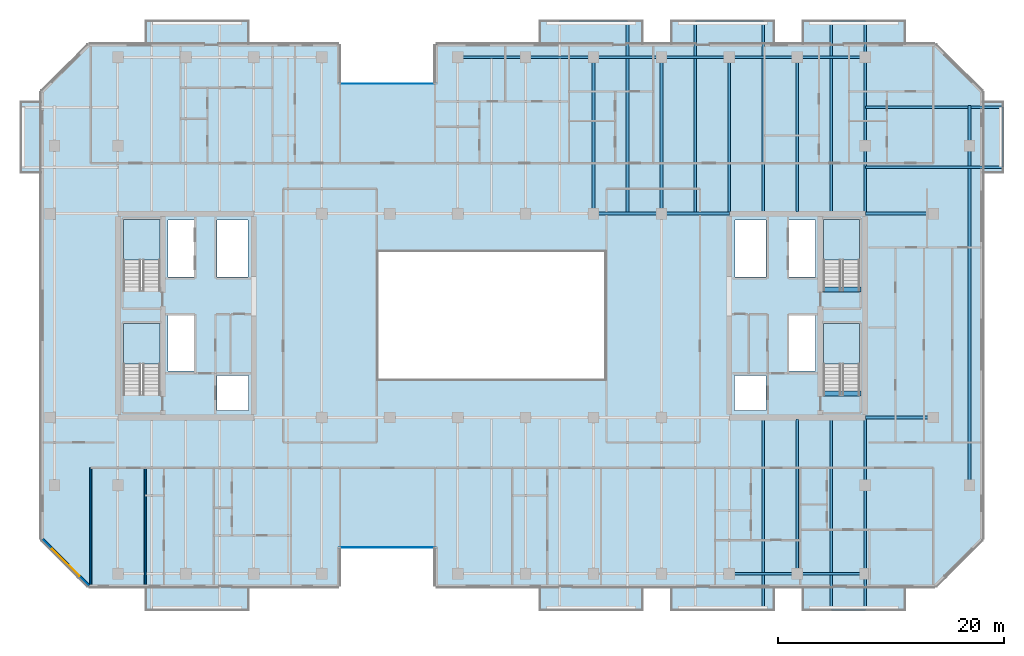
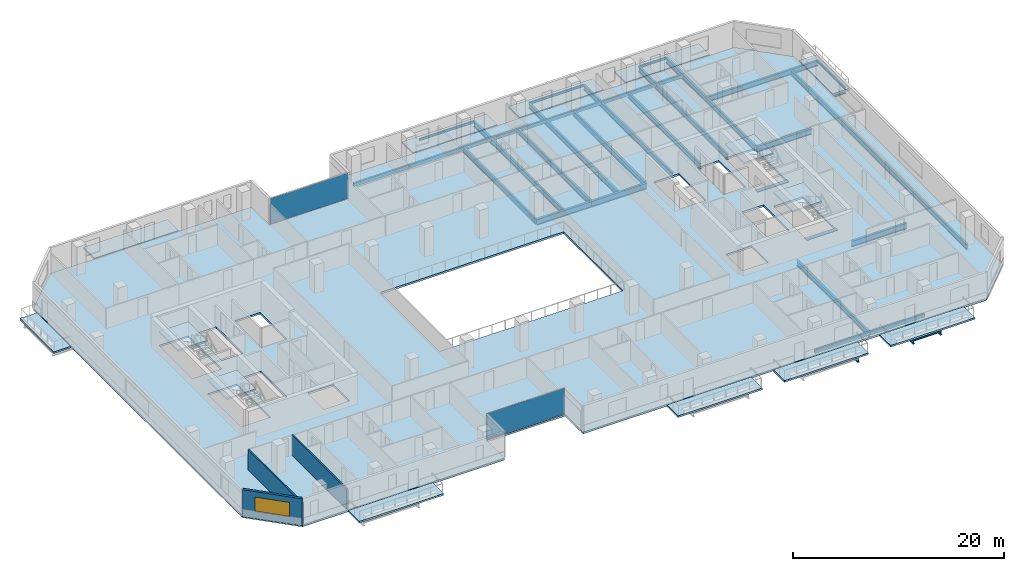
# One storey, part 9 of 23: 36 beams, 15 slabs, 3 walls, 2 plates, 1 window, 1 opening, 6 elements without a shape of their own.
"""IFC4 building model written with IfcOpenShell, lengths in metres."""

from ifc_helpers import new_model, si_unit, direction, frame, frame_2d, origin, origin_2d, place, context, subcontext, project, spatial, polyline, rectangle, hollow_rectangle, i_section, outline, extrude, material, layer, layer_set, material_profile, profile_set, type_object, element, fill, aggregate, save


model = new_model("IFC4")

# Units and contexts
model_context = context("Model", 3, precision=1e-05, world=origin(), true_north=direction((0.0, 1.0)))
body_context = subcontext(model_context, "Body", "Model", "MODEL_VIEW")
ifc_project = project(units=[si_unit("LENGTHUNIT", "METRE"), si_unit("AREAUNIT", "SQUARE_METRE"), si_unit("VOLUMEUNIT", "CUBIC_METRE"), si_unit("PLANEANGLEUNIT", "RADIAN"), si_unit("MASSUNIT", "GRAM", prefix="KILO")], contexts=[model_context])

# Site, building, storey
site_placement = place(None, origin())
site = spatial("IfcSite", under=ifc_project, at=site_placement, CompositionType="ELEMENT")
building_placement = place(site_placement, origin())
building = spatial("IfcBuilding", under=site, at=building_placement, Name="Tanjung Sevakor Pilgrim Tower", CompositionType="ELEMENT")
storey_placement = place(building_placement, frame((0.0, 0.0, 82.169921875)))
storey = spatial("IfcBuildingStorey", under=building, at=storey_placement, Name="L22", CompositionType="ELEMENT", Elevation=82.169921875)

# Beams
ifc_material_1 = material(Name="Steel S355J2", Category="steel")
ifc_material_profile_1 = material_profile(ifc_material_1, i_section(OverallWidth=0.25439453125, OverallDepth=0.6875, WebThickness=0.01318359375, FlangeThickness=0.02099609375, FilletRadius=0.01513671875, at=origin_2d()))
ifc_profile_set_1 = profile_set([ifc_material_profile_1], Name="Steel S355J2")
beam_type_1 = type_object("IfcBeamType", Name="BM-B-G2-UB_686x254x152", PredefinedType="BEAM", material=ifc_profile_set_1)
for number, where, z_axis, x_axis, name in (
    (1, (90.0, 24.60009765625, -0.563720703125), (1.0, 0.0, 0.0), (0.0, 1.0, 0.0), "L22 Primary Floor Girder MAIN Y246-09"),
    (2, (66.0, 42.60009765625, -0.563720703125), (1.0, 0.0, 0.0), (0.0, 1.0, 0.0), "L22 Primary Floor Girder MAIN Y426-07"),
    (3, (72.0, 42.60009765625, -0.563720703125), (1.0, 0.0, 0.0), (0.0, 1.0, 0.0), "L22 Primary Floor Girder MAIN Y426-08"),
    (4, (90.0, 42.60009765625, -0.563720703125), (1.0, 0.0, 0.0), (0.0, 1.0, 0.0), "L22 Primary Floor Girder MAIN Y426-09"),
):
    element("IfcBeam", number, at=place(storey_placement, frame(where, z_axis=z_axis, x_axis=x_axis)), inside=storey, type_object=beam_type_1, Name=name, PredefinedType="BEAM", context=body_context, shape_type="SweptSolid", body=[
        extrude(i_section(OverallWidth=0.25439453125, OverallDepth=0.6875, WebThickness=0.01318359375, FlangeThickness=0.02099609375, FilletRadius=0.01513671875, at=origin_2d()), origin(), (0.0, 0.0, 1.0), 6.0),
    ])
ifc_material_2 = material(Name="Steel S355J2", Category="steel")
ifc_material_profile_2 = material_profile(ifc_material_2, i_section(OverallWidth=0.230224609375, OverallDepth=0.6171875, WebThickness=0.01318359375, FlangeThickness=0.022216796875, FilletRadius=0.0126953125, at=origin_2d()))
ifc_profile_set_2 = profile_set([ifc_material_profile_2], Name="Steel S355J2")
beam_type_2 = type_object("IfcBeamType", Name="BM-B-G3-UB_610x229x140", PredefinedType="BEAM", material=ifc_profile_set_2)
for number, where, z_axis, x_axis, name in (
    (5, (66.0, 42.60009765625, -0.528564453125), (0.0, 1.0, 0.0), (-1.0, 0.0, 0.0), "L22 MAIN Girder 019"),
    (6, (72.0, 42.60009765625, -0.528564453125), (0.0, 1.0, 0.0), (-1.0, 0.0, 0.0), "L22 MAIN Girder 022"),
):
    element("IfcBeam", number, at=place(storey_placement, frame(where, z_axis=z_axis, x_axis=x_axis)), inside=storey, type_object=beam_type_2, Name=name, PredefinedType="BEAM", context=body_context, shape_type="SweptSolid", body=[
        extrude(i_section(OverallWidth=0.230224609375, OverallDepth=0.6171875, WebThickness=0.01318359375, FlangeThickness=0.022216796875, FilletRadius=0.0126953125, at=origin_2d()), origin(), (0.0, 0.0, 1.0), 13.7998046875),
    ])
for number, where, z_axis, x_axis, name in (
    (7, (78.0, 42.727294921875, -0.528564453125), (0.0, 1.0, 0.0), (-1.0, 0.0, 0.0), "L22 MAIN Girder 024"),
    (8, (84.0, 10.800048828125, -0.528564453125), (0.0, 1.0, 0.0), (-1.0, 0.0, 0.0), "L22 MAIN Girder 025"),
    (9, (84.0, 42.727294921875, -0.528564453125), (0.0, 1.0, 0.0), (-1.0, 0.0, 0.0), "L22 MAIN Girder 026"),
):
    element("IfcBeam", number, at=place(storey_placement, frame(where, z_axis=z_axis, x_axis=x_axis)), inside=storey, type_object=beam_type_2, Name=name, PredefinedType="BEAM", context=body_context, shape_type="SweptSolid", body=[
        extrude(i_section(OverallWidth=0.230224609375, OverallDepth=0.6171875, WebThickness=0.01318359375, FlangeThickness=0.022216796875, FilletRadius=0.0126953125, at=origin_2d()), origin(), (0.0, 0.0, 1.0), 13.672607421875),
    ])
beam_1_placement = place(storey_placement, frame((90.0, 24.47265625, -0.528564453125), z_axis=(0.0, -1.0, 0.0), x_axis=(1.0, 0.0, 0.0)))
element("IfcBeam", 10, at=beam_1_placement, inside=storey, type_object=beam_type_2, Name="L22 Balcony Cantilever Beam MAIN-S4-2", PredefinedType="BEAM", context=body_context, shape_type="SweptSolid", body=[
    extrude(i_section(OverallWidth=0.230224609375, OverallDepth=0.6171875, WebThickness=0.01318359375, FlangeThickness=0.022216796875, FilletRadius=0.0126953125, at=origin_2d()), origin(), (0.0, 0.0, 1.0), 16.8525390625),
])
beam_2_placement = place(storey_placement, frame((90.0, 42.727294921875, -0.528564453125), z_axis=(0.0, 1.0, 0.0), x_axis=(-1.0, 0.0, 0.0)))
element("IfcBeam", 11, at=beam_2_placement, inside=storey, type_object=beam_type_2, Name="L22 Balcony Cantilever Beam MAIN-N4-2", PredefinedType="BEAM", context=body_context, shape_type="SweptSolid", body=[
    extrude(i_section(OverallWidth=0.230224609375, OverallDepth=0.6171875, WebThickness=0.01318359375, FlangeThickness=0.022216796875, FilletRadius=0.0126953125, at=origin_2d()), origin(), (0.0, 0.0, 1.0), 16.852783203125),
])
ifc_material_3 = material(Name="Steel S355J2", Category="steel")
ifc_material_profile_3 = material_profile(ifc_material_3, i_section(OverallWidth=0.22900390625, OverallDepth=0.6123046875, WebThickness=0.011962890625, FlangeThickness=0.01953125, FilletRadius=0.0126953125, at=origin_2d()))
ifc_profile_set_3 = profile_set([ifc_material_profile_3], Name="Steel S355J2")
beam_type_3 = type_object("IfcBeamType", Name="BM-B-G4-UB_610x229x125", PredefinedType="BEAM", material=ifc_profile_set_3)
beam_3_placement = place(storey_placement, frame((99.199951171875, 18.60009765625, -0.526123046875), z_axis=(0.0, 1.0, 0.0), x_axis=(-1.0, 0.0, 0.0)))
element("IfcBeam", 12, at=beam_3_placement, inside=storey, type_object=beam_type_3, Name="L22 Short-End Edge Girder E", PredefinedType="BEAM", context=body_context, shape_type="SweptSolid", body=[
    extrude(i_section(OverallWidth=0.22900390625, OverallDepth=0.6123046875, WebThickness=0.011962890625, FlangeThickness=0.01953125, FilletRadius=0.0126953125, at=origin_2d()), origin(), (0.0, 0.0, 1.0), 30.0),
])
beam_4_placement = place(storey_placement, frame((99.199951171875, 48.60009765625, -0.526123046875), z_axis=(0.0, 1.0, 0.0), x_axis=(-1.0, 0.0, 0.0)))
element("IfcBeam", 13, at=beam_4_placement, inside=storey, type_object=beam_type_3, Name="L22 Short-End Edge Extension N-E", PredefinedType="BEAM", context=body_context, shape_type="SweptSolid", body=[
    extrude(i_section(OverallWidth=0.22900390625, OverallDepth=0.6123046875, WebThickness=0.011962890625, FlangeThickness=0.01953125, FilletRadius=0.0126953125, at=origin_2d()), origin(), (0.0, 0.0, 1.0), 3.5498046875),
])
for number, where, z_axis, x_axis, name in (
    (14, (90.0, 46.699951171875, -0.526123046875), (1.0, 0.0, 0.0), (0.0, 1.0, 0.0), "L22 Balcony Overhanging Beam MAIN-E1-1"),
    (15, (90.0, 52.0, -0.526123046875), (1.0, 0.0, 0.0), (0.0, 1.0, 0.0), "L22 Balcony Overhanging Beam MAIN-E1-2"),
):
    element("IfcBeam", number, at=place(storey_placement, frame(where, z_axis=z_axis, x_axis=x_axis)), inside=storey, type_object=beam_type_3, Name=name, PredefinedType="BEAM", context=body_context, shape_type="SweptSolid", body=[
        extrude(i_section(OverallWidth=0.22900390625, OverallDepth=0.6123046875, WebThickness=0.011962890625, FlangeThickness=0.01953125, FilletRadius=0.0126953125, at=origin_2d()), origin(), (0.0, 0.0, 1.0), 12.1298828125),
    ])
for number, where, z_axis, x_axis, name in (
    (16, (69.0, 42.727294921875, -0.526123046875), (0.0, 1.0, 0.0), (-1.0, 0.0, 0.0), "L22 Balcony Cantilever Beam MAIN-N2-2"),
    (17, (75.0, 42.727294921875, -0.526123046875), (0.0, 1.0, 0.0), (-1.0, 0.0, 0.0), "L22 Balcony Cantilever Beam MAIN-N3-1"),
):
    element("IfcBeam", number, at=place(storey_placement, frame(where, z_axis=z_axis, x_axis=x_axis)), inside=storey, type_object=beam_type_3, Name=name, PredefinedType="BEAM", context=body_context, shape_type="SweptSolid", body=[
        extrude(i_section(OverallWidth=0.22900390625, OverallDepth=0.6123046875, WebThickness=0.011962890625, FlangeThickness=0.01953125, FilletRadius=0.0126953125, at=origin_2d()), origin(), (0.0, 0.0, 1.0), 16.852783203125),
    ])
beam_5_placement = place(storey_placement, frame((81.0, 24.47265625, -0.526123046875), z_axis=(0.0, -1.0, 0.0), x_axis=(1.0, 0.0, 0.0)))
element("IfcBeam", 18, at=beam_5_placement, inside=storey, type_object=beam_type_3, Name="L22 Balcony Cantilever Beam MAIN-S3-2", PredefinedType="BEAM", context=body_context, shape_type="SweptSolid", body=[
    extrude(i_section(OverallWidth=0.22900390625, OverallDepth=0.6123046875, WebThickness=0.011962890625, FlangeThickness=0.01953125, FilletRadius=0.0126953125, at=origin_2d()), origin(), (0.0, 0.0, 1.0), 16.8525390625),
])
beam_6_placement = place(storey_placement, frame((81.0, 42.727294921875, -0.526123046875), z_axis=(0.0, 1.0, 0.0), x_axis=(-1.0, 0.0, 0.0)))
element("IfcBeam", 19, at=beam_6_placement, inside=storey, type_object=beam_type_3, Name="L22 Balcony Cantilever Beam MAIN-N3-2", PredefinedType="BEAM", context=body_context, shape_type="SweptSolid", body=[
    extrude(i_section(OverallWidth=0.22900390625, OverallDepth=0.6123046875, WebThickness=0.011962890625, FlangeThickness=0.01953125, FilletRadius=0.0126953125, at=origin_2d()), origin(), (0.0, 0.0, 1.0), 16.852783203125),
])
beam_7_placement = place(storey_placement, frame((87.0, 24.47265625, -0.526123046875), z_axis=(0.0, -1.0, 0.0), x_axis=(1.0, 0.0, 0.0)))
element("IfcBeam", 20, at=beam_7_placement, inside=storey, type_object=beam_type_3, Name="L22 Balcony Cantilever Beam MAIN-S4-1", PredefinedType="BEAM", context=body_context, shape_type="SweptSolid", body=[
    extrude(i_section(OverallWidth=0.22900390625, OverallDepth=0.6123046875, WebThickness=0.011962890625, FlangeThickness=0.01953125, FilletRadius=0.0126953125, at=origin_2d()), origin(), (0.0, 0.0, 1.0), 16.8525390625),
])
beam_8_placement = place(storey_placement, frame((87.0, 42.727294921875, -0.526123046875), z_axis=(0.0, 1.0, 0.0), x_axis=(-1.0, 0.0, 0.0)))
element("IfcBeam", 21, at=beam_8_placement, inside=storey, type_object=beam_type_3, Name="L22 Balcony Cantilever Beam MAIN-N4-1", PredefinedType="BEAM", context=body_context, shape_type="SweptSolid", body=[
    extrude(i_section(OverallWidth=0.22900390625, OverallDepth=0.6123046875, WebThickness=0.011962890625, FlangeThickness=0.01953125, FilletRadius=0.0126953125, at=origin_2d()), origin(), (0.0, 0.0, 1.0), 16.852783203125),
])
ifc_material_4 = material(Name="Steel S355J2", Category="steel")
ifc_material_profile_4 = material_profile(ifc_material_4, i_section(OverallWidth=0.146484375, OverallDepth=0.256103515625, WebThickness=0.00634765625, FlangeThickness=0.010986328125, FilletRadius=0.007568359375, at=origin_2d()))
ifc_profile_set_4 = profile_set([ifc_material_profile_4], Name="Steel S355J2")
beam_type_4 = type_object("IfcBeamType", Name="BM-B-J6-UB_254x146x37", PredefinedType="JOIST", material=ifc_profile_set_4)
for number, where, z_axis, x_axis, name in (
    (22, (63.0, 59.580078125, -0.327880859375), (1.0, 0.0, 0.0), (0.0, 1.0, 0.0), "L22 Balcony Rim Tie MAIN-N2"),
    (23, (75.0, 59.580078125, -0.327880859375), (1.0, 0.0, 0.0), (0.0, 1.0, 0.0), "L22 Balcony Rim Tie MAIN-N3"),
):
    element("IfcBeam", number, at=place(storey_placement, frame(where, z_axis=z_axis, x_axis=x_axis)), inside=storey, type_object=beam_type_4, Name=name, PredefinedType="JOIST", context=body_context, shape_type="SweptSolid", body=[
        extrude(i_section(OverallWidth=0.146484375, OverallDepth=0.256103515625, WebThickness=0.00634765625, FlangeThickness=0.010986328125, FilletRadius=0.007568359375, at=origin_2d()), origin(), (0.0, 0.0, 1.0), 6.0),
    ])
for number, where, z_axis, x_axis, name in (
    (24, (87.0, 7.6201171875, -0.327880859375), (1.0, 0.0, 0.0), (0.0, 1.0, 0.0), "L22 Balcony Rim Tie MAIN-S4"),
    (25, (87.0, 59.580078125, -0.327880859375), (1.0, 0.0, 0.0), (0.0, 1.0, 0.0), "L22 Balcony Rim Tie MAIN-N4"),
):
    element("IfcBeam", number, at=place(storey_placement, frame(where, z_axis=z_axis, x_axis=x_axis)), inside=storey, type_object=beam_type_4, Name=name, PredefinedType="JOIST", context=body_context, shape_type="SweptSolid", body=[
        extrude(i_section(OverallWidth=0.146484375, OverallDepth=0.256103515625, WebThickness=0.00634765625, FlangeThickness=0.010986328125, FilletRadius=0.007568359375, at=origin_2d()), origin(), (0.0, 0.0, 1.0), 3.0),
    ])
beam_9_placement = place(storey_placement, frame((102.1298828125, 46.699951171875, -0.327880859375), z_axis=(0.0, 1.0, 0.0), x_axis=(-1.0, 0.0, 0.0)))
element("IfcBeam", 26, at=beam_9_placement, inside=storey, type_object=beam_type_4, Name="L22 Balcony Rim Tie MAIN-E1", PredefinedType="JOIST", context=body_context, shape_type="SweptSolid", body=[
    extrude(i_section(OverallWidth=0.146484375, OverallDepth=0.256103515625, WebThickness=0.00634765625, FlangeThickness=0.010986328125, FilletRadius=0.007568359375, at=origin_2d()), origin(), (0.0, 0.0, 1.0), 5.300048828125),
])
ifc_material_5 = material(Name="Concrete C60/75", Category="concrete")
ifc_material_profile_5 = material_profile(ifc_material_5, rectangle(XDim=0.449951171875, YDim=0.699951171875, at=origin_2d()))
ifc_profile_set_5 = profile_set([ifc_material_profile_5], Name="Concrete C60/75")
beam_type_5 = type_object("IfcBeamType", Name="BM-B-LN3-RC-BM_450x700", PredefinedType="LINTEL", material=ifc_profile_set_5)
for number, where, z_axis, x_axis, name in (
    (27, (86.199951171875, 26.699951171875, -0.349853515625), (1.0, 0.0, 0.0), (0.0, 1.0, 0.0), "L22 TS-E1 Stair Threshold Beam"),
    (28, (86.199951171875, 35.89990234375, -0.349853515625), (1.0, 0.0, 0.0), (0.0, 1.0, 0.0), "L22 TS-E2 Stair Threshold Beam"),
):
    element("IfcBeam", number, at=place(storey_placement, frame(where, z_axis=z_axis, x_axis=x_axis)), inside=storey, type_object=beam_type_5, Name=name, PredefinedType="LINTEL", context=body_context, shape_type="SweptSolid", body=[
        extrude(rectangle(XDim=0.449951171875, YDim=0.699951171875, at=origin_2d()), origin(), (0.0, 0.0, 1.0), 3.400146484375),
    ])
ifc_material_6 = material(Name="Steel S355J2", Category="steel")
ifc_material_profile_6 = material_profile(ifc_material_6, hollow_rectangle(XDim=0.199951171875, YDim=0.39990234375, WallThickness=0.01611328125, at=origin_2d()))
ifc_profile_set_6 = profile_set([ifc_material_profile_6], Name="Steel S355J2")
beam_type_6 = type_object("IfcBeamType", Name="BM-B-SP2-RHS_400x200x16", PredefinedType="SPANDREL", material=ifc_profile_set_6)
for number, where, z_axis, x_axis, name in (
    (29, (54.0, 56.39990234375, -0.419921875), (1.0, 0.0, 0.0), (0.0, 1.0, 0.0), "L22 Spandrel MAIN N-08"),
    (30, (60.0, 56.39990234375, -0.419921875), (1.0, 0.0, 0.0), (0.0, 1.0, 0.0), "L22 Spandrel MAIN N-10"),
    (31, (66.0, 56.39990234375, -0.419921875), (1.0, 0.0, 0.0), (0.0, 1.0, 0.0), "L22 Spandrel MAIN N-12"),
    (32, (72.0, 56.39990234375, -0.419921875), (1.0, 0.0, 0.0), (0.0, 1.0, 0.0), "L22 Spandrel MAIN N-14"),
    (33, (78.0, 10.800048828125, -0.419921875), (1.0, 0.0, 0.0), (0.0, 1.0, 0.0), "L22 Spandrel MAIN S-15"),
    (34, (78.0, 56.39990234375, -0.419921875), (1.0, 0.0, 0.0), (0.0, 1.0, 0.0), "L22 Spandrel MAIN N-16"),
    (35, (84.0, 10.800048828125, -0.419921875), (1.0, 0.0, 0.0), (0.0, 1.0, 0.0), "L22 Spandrel MAIN S-17"),
    (36, (84.0, 56.39990234375, -0.419921875), (1.0, 0.0, 0.0), (0.0, 1.0, 0.0), "L22 Spandrel MAIN N-18"),
):
    element("IfcBeam", number, at=place(storey_placement, frame(where, z_axis=z_axis, x_axis=x_axis)), inside=storey, type_object=beam_type_6, Name=name, PredefinedType="SPANDREL", context=body_context, shape_type="SweptSolid", body=[
        extrude(hollow_rectangle(XDim=0.199951171875, YDim=0.39990234375, WallThickness=0.01611328125, at=origin_2d()), origin(), (0.0, 0.0, 1.0), 6.0),
    ])

# Slabs
ifc_material_7 = material(Name="Concrete C40/50", Category="concrete")
ifc_layer_1 = layer(ifc_material_7, 0.199951171875)
ifc_layer_set_1 = layer_set([ifc_layer_1], Name="SL-BAL-200")
slab_type_1 = type_object("IfcSlabType", Name="SL-BAL-200", PredefinedType="FLOOR", material=ifc_layer_set_1)
slab_1_placement = place(storey_placement, frame((0.0, 0.0, -0.199951171875)))
element("IfcSlab", 37, at=slab_1_placement, inside=storey, type_object=slab_type_1, Name="L22 Planted Loggia Balcony MAIN-S1", PredefinedType="FLOOR", context=body_context, shape_type="SweptSolid", body=[
    extrude(outline(polyline([(26.39990234375, 7.5), (35.60009765625, 7.5), (35.60009765625, 9.60009765625), (26.39990234375, 9.60009765625), (26.39990234375, 7.5)])), origin(), (0.0, 0.0, 1.0), 0.199951171875),
])
slab_2_placement = place(storey_placement, frame((0.0, 0.0, -0.199951171875)))
element("IfcSlab", 38, at=slab_2_placement, inside=storey, type_object=slab_type_1, Name="L22 Planted Loggia Balcony MAIN-N1", PredefinedType="FLOOR", context=body_context, shape_type="SweptSolid", body=[
    extrude(outline(polyline([(26.39990234375, 57.60009765625), (35.60009765625, 57.60009765625), (35.60009765625, 59.699951171875), (26.39990234375, 59.699951171875), (26.39990234375, 57.60009765625)])), origin(), (0.0, 0.0, 1.0), 0.199951171875),
])
slab_3_placement = place(storey_placement, frame((0.0, 0.0, -0.199951171875)))
element("IfcSlab", 39, at=slab_3_placement, inside=storey, type_object=slab_type_1, Name="L22 Planted Loggia Balcony MAIN-S2", PredefinedType="FLOOR", context=body_context, shape_type="SweptSolid", body=[
    extrude(outline(polyline([(61.199951171875, 7.5), (70.39990234375, 7.5), (70.39990234375, 9.60009765625), (61.199951171875, 9.60009765625), (61.199951171875, 7.5)])), origin(), (0.0, 0.0, 1.0), 0.199951171875),
])
slab_4_placement = place(storey_placement, frame((0.0, 0.0, -0.199951171875)))
element("IfcSlab", 40, at=slab_4_placement, inside=storey, type_object=slab_type_1, Name="L22 Planted Loggia Balcony MAIN-N2", PredefinedType="FLOOR", context=body_context, shape_type="SweptSolid", body=[
    extrude(outline(polyline([(61.199951171875, 57.60009765625), (70.39990234375, 57.60009765625), (70.39990234375, 59.699951171875), (61.199951171875, 59.699951171875), (61.199951171875, 57.60009765625)])), origin(), (0.0, 0.0, 1.0), 0.199951171875),
])
slab_5_placement = place(storey_placement, frame((0.0, 0.0, -0.199951171875)))
element("IfcSlab", 41, at=slab_5_placement, inside=storey, type_object=slab_type_1, Name="L22 Planted Loggia Balcony MAIN-S3", PredefinedType="FLOOR", context=body_context, shape_type="SweptSolid", body=[
    extrude(outline(polyline([(72.800048828125, 7.5), (82.0, 7.5), (82.0, 9.60009765625), (72.800048828125, 9.60009765625), (72.800048828125, 7.5)])), origin(), (0.0, 0.0, 1.0), 0.199951171875),
])
slab_6_placement = place(storey_placement, frame((0.0, 0.0, -0.199951171875)))
element("IfcSlab", 42, at=slab_6_placement, inside=storey, type_object=slab_type_1, Name="L22 Planted Loggia Balcony MAIN-N3", PredefinedType="FLOOR", context=body_context, shape_type="SweptSolid", body=[
    extrude(outline(polyline([(72.800048828125, 57.60009765625), (82.0, 57.60009765625), (82.0, 59.699951171875), (72.800048828125, 59.699951171875), (72.800048828125, 57.60009765625)])), origin(), (0.0, 0.0, 1.0), 0.199951171875),
])
slab_7_placement = place(storey_placement, frame((0.0, 0.0, -0.199951171875)))
element("IfcSlab", 43, at=slab_7_placement, inside=storey, type_object=slab_type_1, Name="L22 Planted Loggia Balcony MAIN-S4", PredefinedType="FLOOR", context=body_context, shape_type="SweptSolid", body=[
    extrude(outline(polyline([(84.39990234375, 7.5), (93.60009765625, 7.5), (93.60009765625, 9.60009765625), (84.39990234375, 9.60009765625), (84.39990234375, 7.5)])), origin(), (0.0, 0.0, 1.0), 0.199951171875),
])
slab_8_placement = place(storey_placement, frame((0.0, 0.0, -0.199951171875)))
element("IfcSlab", 44, at=slab_8_placement, inside=storey, type_object=slab_type_1, Name="L22 Planted Loggia Balcony MAIN-N4", PredefinedType="FLOOR", context=body_context, shape_type="SweptSolid", body=[
    extrude(outline(polyline([(84.39990234375, 57.60009765625), (93.60009765625, 57.60009765625), (93.60009765625, 59.699951171875), (84.39990234375, 59.699951171875), (84.39990234375, 57.60009765625)])), origin(), (0.0, 0.0, 1.0), 0.199951171875),
])
slab_9_placement = place(storey_placement, frame((0.0, 0.0, -0.199951171875)))
element("IfcSlab", 45, at=slab_9_placement, inside=storey, type_object=slab_type_1, Name="L22 Planted Loggia Balcony MAIN-W1", PredefinedType="FLOOR", context=body_context, shape_type="SweptSolid", body=[
    extrude(outline(polyline([(15.35009765625, 46.14990234375), (17.199951171875, 46.14990234375), (17.199951171875, 52.550048828125), (15.35009765625, 52.550048828125), (15.35009765625, 46.14990234375)])), origin(), (0.0, 0.0, 1.0), 0.199951171875),
])
slab_10_placement = place(storey_placement, frame((0.0, 0.0, -0.199951171875)))
element("IfcSlab", 46, at=slab_10_placement, inside=storey, type_object=slab_type_1, Name="L22 Planted Loggia Balcony MAIN-E1", PredefinedType="FLOOR", context=body_context, shape_type="SweptSolid", body=[
    extrude(outline(polyline([(100.39990234375, 46.14990234375), (102.25, 46.14990234375), (102.25, 52.550048828125), (100.39990234375, 52.550048828125), (100.39990234375, 46.14990234375)])), origin(), (0.0, 0.0, 1.0), 0.199951171875),
])

# Stair, slab
ifc_material_8 = material(Name="Concrete C40/50", Category="concrete")
stair_type = type_object("IfcStairType", Name="STAIR-ST-CR150", PredefinedType="HALF_TURN_STAIR", material=ifc_material_8)
stair_1_placement = place(storey_placement, origin())
stair_1 = element("IfcStair", 47, at=stair_1_placement, inside=storey, type_object=stair_type, Name="L22 West Core Exit Stair 1", PredefinedType="HALF_TURN_STAIR")
ifc_material_9 = material(Name="Concrete C40/50", Category="concrete")
ifc_layer_2 = layer(ifc_material_9, 0.199951171875)
ifc_layer_set_2 = layer_set([ifc_layer_2], Name="SL-LAND-200")
slab_type_2 = type_object("IfcSlabType", Name="SL-LAND-200", PredefinedType="LANDING", material=ifc_layer_set_2)
slab_11_placement = place(storey_placement, frame((0.0, 0.0, 1.4501953125)))
slab_11 = element("IfcSlab", 48, at=slab_11_placement, type_object=slab_type_2, Name="TS-W1 landing 1", PredefinedType="LANDING", context=body_context, shape_type="SweptSolid", body=[
    extrude(outline(polyline([(27.699951171875, 29.300048828125), (27.699951171875, 32.89990234375), (24.5, 32.89990234375), (24.5, 29.300048828125), (27.699951171875, 29.300048828125)])), origin(), (0.0, 0.0, 1.0), 0.199951171875),
])
aggregate(stair_1, [slab_11])

stair_2_placement = place(storey_placement, origin())
stair_2 = element("IfcStair", 49, at=stair_2_placement, inside=storey, type_object=stair_type, Name="L22 West Core Exit Stair 2", PredefinedType="HALF_TURN_STAIR")
slab_12_placement = place(storey_placement, frame((0.0, 0.0, 1.4501953125)))
slab_12 = element("IfcSlab", 50, at=slab_12_placement, type_object=slab_type_2, Name="TS-W2 landing 1", PredefinedType="LANDING", context=body_context, shape_type="SweptSolid", body=[
    extrude(outline(polyline([(27.699951171875, 38.5), (27.699951171875, 42.10009765625), (24.5, 42.10009765625), (24.5, 38.5), (27.699951171875, 38.5)])), origin(), (0.0, 0.0, 1.0), 0.199951171875),
])
aggregate(stair_2, [slab_12])

stair_3_placement = place(storey_placement, origin())
stair_3 = element("IfcStair", 51, at=stair_3_placement, inside=storey, type_object=stair_type, Name="L22 East Core Exit Stair 1", PredefinedType="HALF_TURN_STAIR")
slab_13_placement = place(storey_placement, frame((0.0, 0.0, 1.4501953125)))
slab_13 = element("IfcSlab", 52, at=slab_13_placement, type_object=slab_type_2, Name="TS-E1 landing 1", PredefinedType="LANDING", context=body_context, shape_type="SweptSolid", body=[
    extrude(outline(polyline([(89.5, 29.300048828125), (89.5, 32.89990234375), (86.300048828125, 32.89990234375), (86.300048828125, 29.300048828125), (89.5, 29.300048828125)])), origin(), (0.0, 0.0, 1.0), 0.199951171875),
])
aggregate(stair_3, [slab_13])

stair_4_placement = place(storey_placement, origin())
stair_4 = element("IfcStair", 53, at=stair_4_placement, inside=storey, type_object=stair_type, Name="L22 East Core Exit Stair 2", PredefinedType="HALF_TURN_STAIR")
slab_14_placement = place(storey_placement, frame((0.0, 0.0, 1.4501953125)))
slab_14 = element("IfcSlab", 54, at=slab_14_placement, type_object=slab_type_2, Name="TS-E2 landing 1", PredefinedType="LANDING", context=body_context, shape_type="SweptSolid", body=[
    extrude(outline(polyline([(89.5, 38.5), (89.5, 42.10009765625), (86.300048828125, 42.10009765625), (86.300048828125, 38.5), (89.5, 38.5)])), origin(), (0.0, 0.0, 1.0), 0.199951171875),
])
aggregate(stair_4, [slab_14])

# Slab
ifc_material_10 = material(Name="Concrete C40/50", Category="concrete")
ifc_layer_3 = layer(ifc_material_10, 0.219970703125)
ifc_layer_set_3 = layer_set([ifc_layer_3], Name="SL-TWR-220")
slab_type_3 = type_object("IfcSlabType", Name="SL-TWR-220", PredefinedType="FLOOR", material=ifc_layer_set_3)
slab_15_placement = place(storey_placement, frame((0.0, 0.0, -0.219970703125)))
element("IfcSlab", 55, at=slab_15_placement, inside=storey, type_object=slab_type_3, Name="L22 Floor Slab MAIN", PredefinedType="FLOOR", context=body_context, shape_type="SweptSolid", body=[
    extrude(outline(polyline([(21.447021484375, 9.679931640625), (43.52001953125, 9.679931640625), (43.52001953125, 13.080078125), (52.080078125, 13.080078125), (52.080078125, 9.679931640625), (96.153076171875, 9.679931640625), (100.320068359375, 13.846923828125), (100.320068359375, 53.35302734375), (96.153076171875, 57.52001953125), (52.080078125, 57.52001953125), (52.080078125, 54.1201171875), (43.52001953125, 54.1201171875), (43.52001953125, 57.52001953125), (21.447021484375, 57.52001953125), (17.280029296875, 53.35302734375), (17.280029296875, 13.846923828125), (21.447021484375, 9.679931640625)]), holes=[polyline([(27.699951171875, 26.60009765625), (27.699951171875, 32.89990234375), (24.5, 32.89990234375), (24.5, 26.60009765625), (27.699951171875, 26.60009765625)]), polyline([(27.699951171875, 35.800048828125), (27.699951171875, 42.10009765625), (24.5, 42.10009765625), (24.5, 35.800048828125), (27.699951171875, 35.800048828125)]), polyline([(89.5, 26.60009765625), (89.5, 32.89990234375), (86.300048828125, 32.89990234375), (86.300048828125, 26.60009765625), (89.5, 26.60009765625)]), polyline([(89.5, 35.800048828125), (89.5, 42.10009765625), (86.300048828125, 42.10009765625), (86.300048828125, 35.800048828125), (89.5, 35.800048828125)]), polyline([(32.75, 25.199951171875), (35.550048828125, 25.199951171875), (35.550048828125, 28.300048828125), (32.75, 28.300048828125), (32.75, 25.199951171875)]), polyline([(28.39990234375, 28.699951171875), (30.75, 28.699951171875), (30.75, 33.60009765625), (28.39990234375, 33.60009765625), (28.39990234375, 28.699951171875)]), polyline([(28.39990234375, 37.0), (30.75, 37.0), (30.75, 42.050048828125), (28.39990234375, 42.050048828125), (28.39990234375, 37.0)]), polyline([(32.75, 37.0), (35.5, 37.0), (35.5, 42.050048828125), (32.75, 42.050048828125), (32.75, 37.0)]), polyline([(78.449951171875, 25.199951171875), (81.25, 25.199951171875), (81.25, 28.300048828125), (78.449951171875, 28.300048828125), (78.449951171875, 25.199951171875)]), polyline([(83.25, 28.699951171875), (85.60009765625, 28.699951171875), (85.60009765625, 33.60009765625), (83.25, 33.60009765625), (83.25, 28.699951171875)]), polyline([(83.25, 37.0), (85.60009765625, 37.0), (85.60009765625, 42.050048828125), (83.25, 42.050048828125), (83.25, 37.0)]), polyline([(78.5, 37.0), (81.25, 37.0), (81.25, 42.050048828125), (78.5, 42.050048828125), (78.5, 37.0)]), polyline([(47.0, 28.0), (67.0, 28.0), (67.0, 39.199951171875), (47.0, 39.199951171875), (47.0, 28.0)])]), origin(), (0.0, 0.0, 1.0), 0.219970703125),
])

# Curtain wall, plate
ifc_material_11 = material(Name="Aluminium 6063-T6 and Low-E Glass", Category="aluminium")
ifc_layer_4 = layer(ifc_material_11, 0.179931640625)
ifc_layer_set_4 = layer_set([ifc_layer_4], Name="CW-SYS-CLEFT")
curtain_wall_type = type_object("IfcCurtainWallType", Name="CW-SYS-CLEFT", PredefinedType="NOTDEFINED", material=ifc_layer_set_4)
curtain_wall_1_placement = place(storey_placement, origin())
curtain_wall_1 = element("IfcCurtainWall", 56, at=curtain_wall_1_placement, inside=storey, type_object=curtain_wall_type, Name="L22 Curtain Wall CW-CLF-L22-2", PredefinedType="NOTDEFINED")
ifc_material_12 = material(Name="Laminated Low-E Double Glazing", Category="glass")
ifc_layer_5 = layer(ifc_material_12, 0.028076171875)
ifc_layer_set_5 = layer_set([ifc_layer_5], Name="TYPE-CWP-GLZ1")
plate_type = type_object("IfcPlateType", Name="TYPE-CWP-GLZ1", PredefinedType="CURTAIN_PANEL", material=ifc_layer_set_5)
plate_1_placement = place(storey_placement, frame((47.800048828125, 13.125, 0.06494140625), z_axis=(0.0, 0.0, 1.0), x_axis=(1.0, 0.0, 0.0)))
plate_1 = element("IfcPlate", 57, at=plate_1_placement, type_object=plate_type, Name="CW-CLF panel 1.1", PredefinedType="CURTAIN_PANEL", context=body_context, shape_type="SweptSolid", body=[
    extrude(rectangle(XDim=8.5, YDim=0.028076171875, at=origin_2d()), origin(), (0.0, 0.0, 1.0), 2.949951171875),
])
aggregate(curtain_wall_1, [plate_1])

curtain_wall_2_placement = place(storey_placement, origin())
curtain_wall_2 = element("IfcCurtainWall", 58, at=curtain_wall_2_placement, inside=storey, type_object=curtain_wall_type, Name="L22 Curtain Wall CW-CLF-L22-10", PredefinedType="NOTDEFINED")
plate_2_placement = place(storey_placement, frame((47.800048828125, 54.074951171875, 0.06494140625), z_axis=(0.0, 0.0, 1.0), x_axis=(-1.0, 0.0, 0.0)))
plate_2 = element("IfcPlate", 59, at=plate_2_placement, type_object=plate_type, Name="CW-CLF panel 1.1", PredefinedType="CURTAIN_PANEL", context=body_context, shape_type="SweptSolid", body=[
    extrude(rectangle(XDim=8.5, YDim=0.028076171875, at=origin_2d()), origin(), (0.0, 0.0, 1.0), 2.949951171875),
])
aggregate(curtain_wall_2, [plate_2])

# Walls
ifc_material_13 = material(Name="Concrete C40/50", Category="concrete")
ifc_layer_6 = layer(ifc_material_13, 0.14990234375)
ifc_layer_set_6 = layer_set([ifc_layer_6], Name="WT-COMP-150")
wall_type_1 = type_object("IfcWallType", Name="WT-COMP-150", PredefinedType="SOLIDWALL", material=ifc_layer_set_6)
for number, where, z_axis, x_axis, name in (
    (60, (21.60009765625, 9.85009765625, 0.0), (0.0, 0.0, 1.0), (0.0, 1.0, 0.0), "L22 Partition IW-L22-047"),
    (61, (26.410400390625, 9.85009765625, 0.0), (0.0, 0.0, 1.0), (0.0, 1.0, 0.0), "L22 Partition IW-L22-048"),
):
    element("IfcWall", number, at=place(storey_placement, frame(where, z_axis=z_axis, x_axis=x_axis)), inside=storey, type_object=wall_type_1, Name=name, PredefinedType="SOLIDWALL", context=body_context, shape_type="SweptSolid", body=[
        extrude(rectangle(XDim=10.2998046875, YDim=0.14990234375, at=frame_2d((5.14990234375, 0.0))), origin(), (0.0, 0.0, 1.0), 2.35009765625),
    ])

# Wall, opening, window
ifc_material_14 = material(Name="Precast concrete C45/55", Category="concrete")
ifc_layer_7 = layer(ifc_material_14, 0.25)
ifc_layer_set_7 = layer_set([ifc_layer_7], Name="WT-EW-STN3")
wall_type_2 = type_object("IfcWallType", Name="WT-EW-STN3", PredefinedType="SOLIDWALL", material=ifc_layer_set_7)
wall_placement = place(storey_placement, frame((17.324951171875, 13.851806640625, 0.0), z_axis=(0.0, 0.0, 1.0), x_axis=(0.707127696864, -0.70708586489, 0.0)))
wall = element("IfcWall", 62, at=wall_placement, inside=storey, type_object=wall_type_2, Name="L22 MAIN Sculpted Corner Wall 15", PredefinedType="SOLIDWALL", context=body_context, shape_type="SweptSolid", body=[
    extrude(rectangle(XDim=5.836181640625, YDim=0.25, at=frame_2d((2.91796875, 0.0))), origin(), (0.0, 0.0, 1.0), 3.080078125),
])
opening_placement = place(wall_placement, frame((1.218017578125, 0.0, 0.780029296875)))
opening = element("IfcOpeningElement", 63, at=opening_placement, cuts=wall, Name="Opening WN-CHM-1660", PredefinedType="OPENING", context=body_context, shape_type="SweptSolid", body=[
    extrude(rectangle(XDim=3.39990234375, YDim=1.659912109375, at=frame_2d((1.699951171875, 0.830078125))), frame((0.0, 0.135009765625, 0.0), z_axis=(0.0, -1.0, 0.0), x_axis=(1.0, 0.0, 0.0)), (0.0, 0.0, 1.0), 0.27001953125),
])
ifc_material_15 = material(Name="Thermally Broken Aluminium and Low-E Glass", Category="aluminium")
window_type = type_object("IfcWindowType", Name="WTYP-WN-CHM-1660", PartitioningType="DOUBLE_PANEL_VERTICAL", PredefinedType="WINDOW", material=ifc_material_15)
window_placement = place(opening_placement, origin())
window = element("IfcWindow", 64, at=window_placement, inside=storey, type_object=window_type, Name="L22 Facade Window 01", OverallHeight=1.659912109375, OverallWidth=3.39990234375, PartitioningType="SINGLE_PANEL", PredefinedType="WINDOW", context=body_context, shape_type="SweptSolid", body=[
    extrude(rectangle(XDim=3.39990234375, YDim=1.659912109375, at=frame_2d((1.699951171875, 0.830078125))), frame((0.0, 0.030029296875, 0.0), z_axis=(0.0, -1.0, 0.0), x_axis=(1.0, 0.0, 0.0)), (0.0, 0.0, 1.0), 0.06005859375),
])
fill(opening, window)

save(model, "model.ifc")
